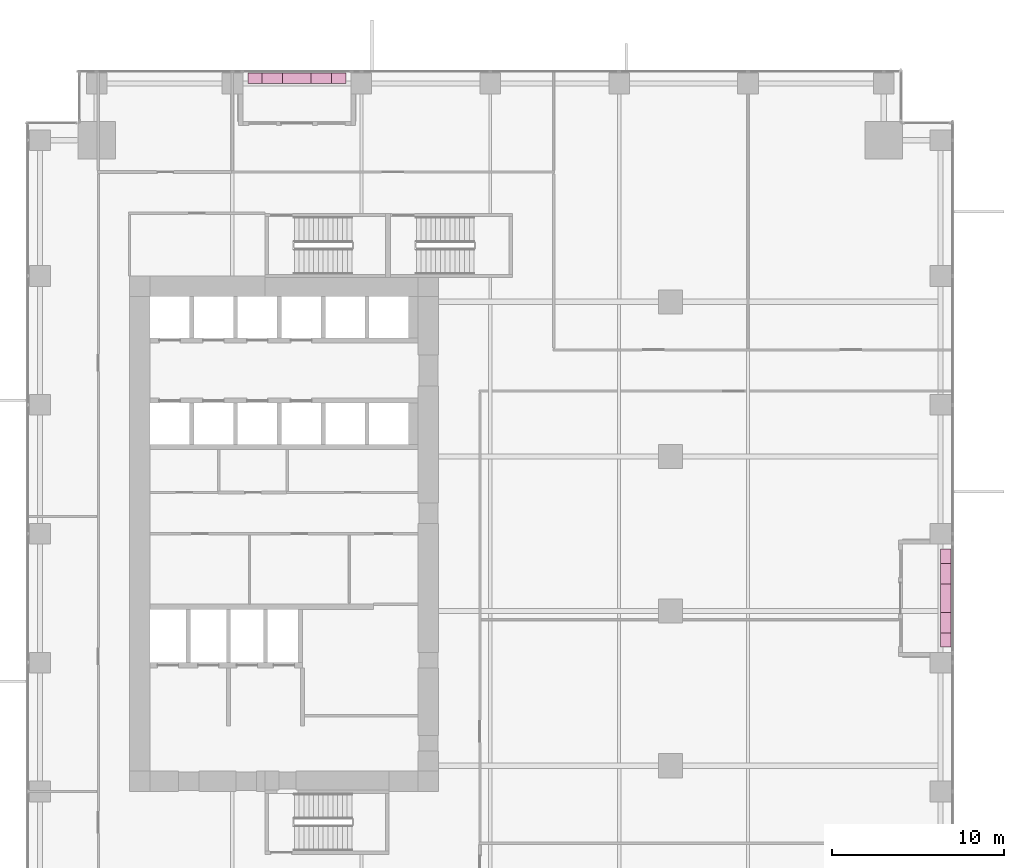
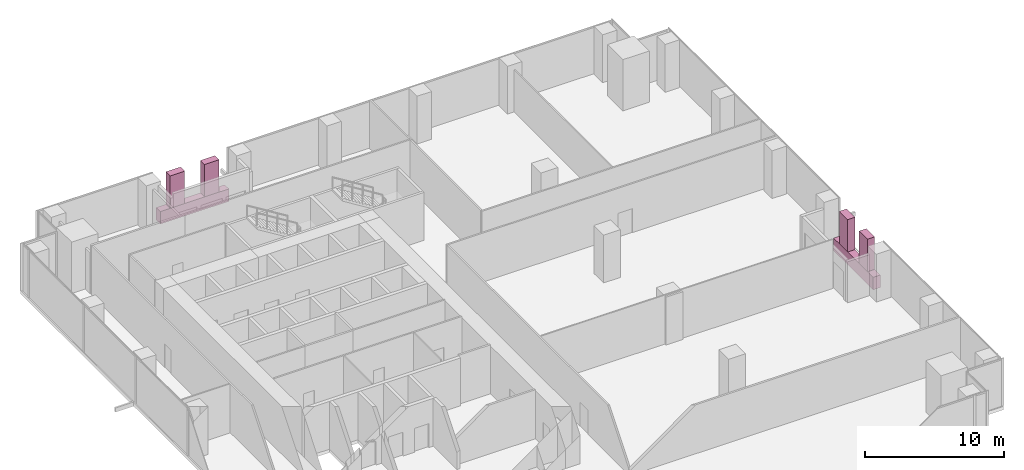
# One storey, part 33 of 33: 6 furnishings.
"""IFC4 building model written with IfcOpenShell, lengths in metres."""

from ifc_helpers import new_model, si_unit, direction, frame, origin, origin_2d, place, context, subcontext, project, spatial, rectangle, extrude, source, transform, mapped, material, type_object, element, save


model = new_model("IFC4")

# Units and contexts
model_context = context("Model", 3, precision=1e-05, world=origin(), true_north=direction((0.0, 1.0)))
body_context = subcontext(model_context, "Body", "Model", "MODEL_VIEW")
ifc_project = project(units=[si_unit("LENGTHUNIT", "METRE"), si_unit("AREAUNIT", "SQUARE_METRE"), si_unit("VOLUMEUNIT", "CUBIC_METRE"), si_unit("PLANEANGLEUNIT", "RADIAN"), si_unit("MASSUNIT", "GRAM", prefix="KILO")], contexts=[model_context])

# Site, building, storey
site_placement = place(None, origin())
site = spatial("IfcSite", under=ifc_project, at=site_placement, CompositionType="ELEMENT")
building_placement = place(site_placement, origin())
building = spatial("IfcBuilding", under=site, at=building_placement, Name="Khomas Fold Tower", CompositionType="ELEMENT")
storey_placement = place(building_placement, frame((0.0, 0.0, 78.0)))
storey = spatial("IfcBuildingStorey", under=building, at=storey_placement, Name="L16", CompositionType="ELEMENT", Elevation=78.0)

# Furnishings
ifc_material_1 = material(Name="Precast concrete C40/50", Category="concrete")
furnishing_element_type_1 = type_object("IfcFurnishingElementType", Name="BL-Structural planter box", material=ifc_material_1)
shared_shape_1 = source(origin(), body_context, "Body", "SweptSolid", [
    extrude(rectangle(XDim=5.699951171875, YDim=0.60009765625, at=origin_2d()), origin(), (0.0, 0.0, 1.0), 1.10009765625),
])
for number, where, z_axis, x_axis, name in (
    (1, (53.5, 23.25, -0.045166015625), (0.0, 0.0, 1.0), (0.0, 1.0, 0.0), "PLANTER BAL-L16-E2"),
    (2, (15.75, 53.5, -0.045166015625), (0.0, 0.0, 1.0), (1.0, 0.0, 0.0), "PLANTER BAL-L16-N1"),
):
    element("IfcFurnishingElement", number, at=place(storey_placement, frame(where, z_axis=z_axis, x_axis=x_axis)), inside=storey, type_object=furnishing_element_type_1, Name=name, context=body_context, shape_type="MappedRepresentation", body=[
        mapped(shared_shape_1, transform((0.0, 0.0, 0.0))),
    ])
ifc_material_2 = material(Name="Planting")
furnishing_element_type_2 = type_object("IfcFurnishingElementType", Name="BL-Tree Shepherd's tree", material=ifc_material_2)
shared_shape_2 = source(origin(), body_context, "Body", "SweptSolid", [
    extrude(rectangle(XDim=1.199951171875, YDim=0.60009765625, at=origin_2d()), origin(), (0.0, 0.0, 1.0), 2.844970703125),
])
furnishing_1_placement = place(storey_placement, frame((53.5, 21.824951171875, 1.05517578125), z_axis=(0.0, 0.0, 1.0), x_axis=(0.0, 1.0, 0.0)))
element("IfcFurnishingElement", 3, at=furnishing_1_placement, inside=storey, type_object=furnishing_element_type_2, Name="PLANTER (TREE) Shepherd's tree BAL-L16-E2-1", context=body_context, shape_type="MappedRepresentation", body=[
    mapped(shared_shape_2, transform((0.0, 0.0, 0.0))),
])
ifc_material_3 = material(Name="Planting")
furnishing_element_type_3 = type_object("IfcFurnishingElementType", Name="BL-Tree Karee", material=ifc_material_3)
furnishing_2_placement = place(storey_placement, frame((53.5, 24.675048828125, 1.05517578125), z_axis=(0.0, 0.0, 1.0), x_axis=(0.0, 1.0, 0.0)))
element("IfcFurnishingElement", 4, at=furnishing_2_placement, inside=storey, type_object=furnishing_element_type_3, Name="PLANTER (TREE) Karee BAL-L16-E2-2", context=body_context, shape_type="MappedRepresentation", body=[
    mapped(shared_shape_2, transform((0.0, 0.0, 0.0))),
])
furnishing_3_placement = place(storey_placement, frame((14.324951171875, 53.5, 1.05517578125), z_axis=(0.0, 0.0, 1.0), x_axis=(1.0, 0.0, 0.0)))
element("IfcFurnishingElement", 5, at=furnishing_3_placement, inside=storey, type_object=furnishing_element_type_2, Name="PLANTER (TREE) Shepherd's tree BAL-L16-N1-1", context=body_context, shape_type="MappedRepresentation", body=[
    mapped(shared_shape_2, transform((0.0, 0.0, 0.0))),
])
furnishing_4_placement = place(storey_placement, frame((17.175048828125, 53.5, 1.05517578125), z_axis=(0.0, 0.0, 1.0), x_axis=(1.0, 0.0, 0.0)))
element("IfcFurnishingElement", 6, at=furnishing_4_placement, inside=storey, type_object=furnishing_element_type_3, Name="PLANTER (TREE) Karee BAL-L16-N1-2", context=body_context, shape_type="MappedRepresentation", body=[
    mapped(shared_shape_2, transform((0.0, 0.0, 0.0))),
])

save(model, "model.ifc")
